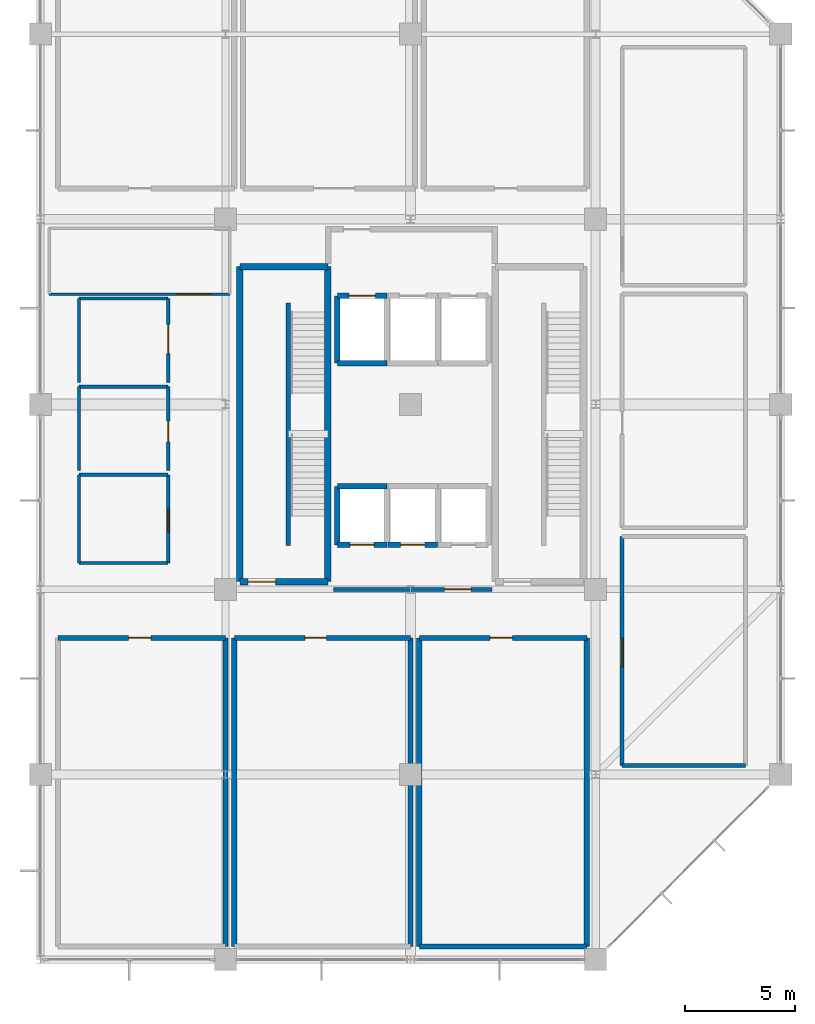
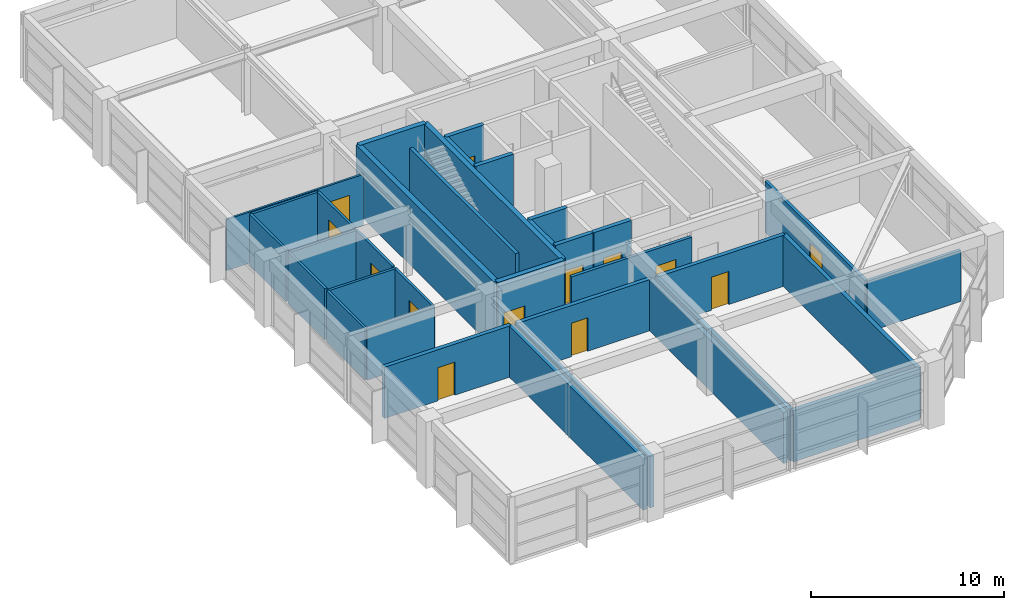
# One storey, part 12 of 15: 35 walls, 13 doors, 13 openings.
"""IFC4 building model written with IfcOpenShell, lengths in metres."""

from ifc_helpers import new_model, si_unit, direction, frame, frame_2d, origin, place, context, subcontext, project, spatial, rectangle, extrude, material, layer, layer_set, type_object, element, fill, save


model = new_model("IFC4")

# Units and contexts
model_context = context("Model", 3, precision=1e-05, world=origin(), true_north=direction((0.0, 1.0)))
body_context = subcontext(model_context, "Body", "Model", "MODEL_VIEW")
ifc_project = project(units=[si_unit("LENGTHUNIT", "METRE"), si_unit("AREAUNIT", "SQUARE_METRE"), si_unit("VOLUMEUNIT", "CUBIC_METRE"), si_unit("PLANEANGLEUNIT", "RADIAN"), si_unit("MASSUNIT", "GRAM", prefix="KILO")], contexts=[model_context])

# Site, building, storey
site_placement = place(None, origin())
site = spatial("IfcSite", under=ifc_project, at=site_placement, CompositionType="ELEMENT")
building_placement = place(site_placement, origin())
building = spatial("IfcBuilding", under=site, at=building_placement, Name="Xuanlan Plaza Opera House", CompositionType="ELEMENT")
storey_placement = place(building_placement, frame((0.0, 0.0, 53.10009765625)))
storey = spatial("IfcBuildingStorey", under=building, at=storey_placement, Name="L12", CompositionType="ELEMENT", Elevation=53.10009765625)

# Wall, opening, door
ifc_material_1 = material(Name="Gypsum Board and Galvanised Steel Studs", Category="gypsum")
ifc_layer_1 = layer(ifc_material_1, 0.239990234375)
ifc_layer_set_1 = layer_set([ifc_layer_1], Name="Gypsum Board and Galvanised Steel Studs")
wall_type_1 = type_object("IfcWallType", Name="INT-WL-PW-01", PredefinedType="PARTITIONING", material=ifc_layer_set_1)
wall_1_placement = place(storey_placement, frame((126.800048828125, 48.199951171875, 0.0), z_axis=(0.0, 0.0, 1.0), x_axis=(1.0, 0.0, 0.0)))
wall_1 = element("IfcWall", 1, at=wall_1_placement, inside=storey, type_object=wall_type_1, Name="Conservatoire Practice Studio 1 Wall North", PredefinedType="PARTITIONING", context=body_context, shape_type="SweptSolid", body=[
    extrude(rectangle(XDim=7.599853515625, YDim=0.239990234375, at=frame_2d((3.7998046875, 0.0))), origin(), (0.0, 0.0, 1.0), 3.239990234375),
])
opening_1_placement = place(wall_1_placement, frame((3.199951171875, 0.0, 0.0)))
opening_1 = element("IfcOpeningElement", 2, at=opening_1_placement, cuts=wall_1, Name="Opening D-02", PredefinedType="OPENING", context=body_context, shape_type="SweptSolid", body=[
    extrude(rectangle(XDim=1.02001953125, YDim=2.10009765625, at=frame_2d((0.510009765625, 1.050048828125))), frame((0.0, 0.1298828125, 0.0), z_axis=(0.0, -1.0, 0.0), x_axis=(1.0, 0.0, 0.0)), (0.0, 0.0, 1.0), 0.260009765625),
])
ifc_material_2 = material(Name="Oak Hardwood Timber", Category="wood")
door_type_1 = type_object("IfcDoorType", Name="INT-DR-D-02", OperationType="NOTDEFINED", PredefinedType="DOOR", material=ifc_material_2)
door_1_placement = place(opening_1_placement, origin())
door_1 = element("IfcDoor", 3, at=door_1_placement, inside=storey, type_object=door_type_1, Name="Conservatoire Practice Studio 1 Door 1", OperationType="SINGLE_SWING_RIGHT", OverallHeight=2.10009765625, OverallWidth=1.02001953125, PredefinedType="DOOR", context=body_context, shape_type="SweptSolid", body=[
    extrude(rectangle(XDim=1.02001953125, YDim=2.10009765625, at=frame_2d((0.510009765625, 1.050048828125))), frame((0.0, 0.02490234375, 0.0), z_axis=(0.0, -1.0, 0.0), x_axis=(1.0, 0.0, 0.0)), (0.0, 0.0, 1.0), 0.050048828125),
])
fill(opening_1, door_1)

# Wall
wall_2_placement = place(storey_placement, frame((134.39990234375, 34.199951171875, 0.0), z_axis=(0.0, 0.0, 1.0), x_axis=(0.0, 1.0, 0.0)))
element("IfcWall", 4, at=wall_2_placement, inside=storey, type_object=wall_type_1, Name="Conservatoire Practice Studio 1 Wall East", PredefinedType="PARTITIONING", context=body_context, shape_type="SweptSolid", body=[
    extrude(rectangle(XDim=14.0, YDim=0.239990234375, at=frame_2d((7.0, 0.0))), origin(), (0.0, 0.0, 1.0), 3.239990234375),
])

# Wall, opening, door
wall_3_placement = place(storey_placement, frame((134.800048828125, 48.199951171875, 0.0), z_axis=(0.0, 0.0, 1.0), x_axis=(1.0, 0.0, 0.0)))
wall_3 = element("IfcWall", 5, at=wall_3_placement, inside=storey, type_object=wall_type_1, Name="Conservatoire Practice Studio 2 Wall North", PredefinedType="PARTITIONING", context=body_context, shape_type="SweptSolid", body=[
    extrude(rectangle(XDim=8.0, YDim=0.239990234375, at=frame_2d((4.0, 0.0))), origin(), (0.0, 0.0, 1.0), 3.239990234375),
])
opening_2_placement = place(wall_3_placement, frame((3.199951171875, 0.0, 0.0)))
opening_2 = element("IfcOpeningElement", 6, at=opening_2_placement, cuts=wall_3, Name="Opening D-09", PredefinedType="OPENING", context=body_context, shape_type="SweptSolid", body=[
    extrude(rectangle(XDim=0.97998046875, YDim=2.1201171875, at=frame_2d((0.489990234375, 1.06005859375))), frame((0.0, 0.1298828125, 0.0), z_axis=(0.0, -1.0, 0.0), x_axis=(1.0, 0.0, 0.0)), (0.0, 0.0, 1.0), 0.260009765625),
])
ifc_material_3 = material(Name="Walnut Hardwood Timber", Category="wood")
door_type_2 = type_object("IfcDoorType", Name="INT-DR-D-09", OperationType="NOTDEFINED", PredefinedType="DOOR", material=ifc_material_3)
door_2_placement = place(opening_2_placement, origin())
door_2 = element("IfcDoor", 7, at=door_2_placement, inside=storey, type_object=door_type_2, Name="Conservatoire Practice Studio 2 Door 1", OperationType="SINGLE_SWING_LEFT", OverallHeight=2.1201171875, OverallWidth=0.97998046875, PredefinedType="DOOR", context=body_context, shape_type="SweptSolid", body=[
    extrude(rectangle(XDim=0.97998046875, YDim=2.1201171875, at=frame_2d((0.489990234375, 1.06005859375))), frame((0.0, 0.02490234375, 0.0), z_axis=(0.0, -1.0, 0.0), x_axis=(1.0, 0.0, 0.0)), (0.0, 0.0, 1.0), 0.050048828125),
])
fill(opening_2, door_2)

# Walls
for number, where, z_axis, x_axis, name in (
    (8, (134.800048828125, 34.199951171875, 0.0), (0.0, 0.0, 1.0), (0.0, 1.0, 0.0), "Conservatoire Practice Studio 2 Wall West"),
    (9, (142.800048828125, 34.199951171875, 0.0), (0.0, 0.0, 1.0), (0.0, 1.0, 0.0), "Conservatoire Practice Studio 2 Wall East"),
):
    element("IfcWall", number, at=place(storey_placement, frame(where, z_axis=z_axis, x_axis=x_axis)), inside=storey, type_object=wall_type_1, Name=name, PredefinedType="PARTITIONING", context=body_context, shape_type="SweptSolid", body=[
        extrude(rectangle(XDim=14.0, YDim=0.239990234375, at=frame_2d((7.0, 0.0))), origin(), (0.0, 0.0, 1.0), 3.239990234375),
    ])
wall_4_placement = place(storey_placement, frame((143.199951171875, 34.199951171875, 0.0), z_axis=(0.0, 0.0, 1.0), x_axis=(1.0, 0.0, 0.0)))
element("IfcWall", 10, at=wall_4_placement, inside=storey, type_object=wall_type_1, Name="Conservatoire Practice Studio 3 Wall South", PredefinedType="PARTITIONING", context=body_context, shape_type="SweptSolid", body=[
    extrude(rectangle(XDim=7.60009765625, YDim=0.239990234375, at=frame_2d((3.800048828125, 0.0))), origin(), (0.0, 0.0, 1.0), 3.239990234375),
])

# Wall, opening, door
wall_5_placement = place(storey_placement, frame((143.199951171875, 48.199951171875, 0.0), z_axis=(0.0, 0.0, 1.0), x_axis=(1.0, 0.0, 0.0)))
wall_5 = element("IfcWall", 11, at=wall_5_placement, inside=storey, type_object=wall_type_1, Name="Conservatoire Practice Studio 3 Wall North", PredefinedType="PARTITIONING", context=body_context, shape_type="SweptSolid", body=[
    extrude(rectangle(XDim=7.60009765625, YDim=0.239990234375, at=frame_2d((3.800048828125, 0.0))), origin(), (0.0, 0.0, 1.0), 3.239990234375),
])
opening_3_placement = place(wall_5_placement, frame((3.199951171875, 0.0, 0.0)))
opening_3 = element("IfcOpeningElement", 12, at=opening_3_placement, cuts=wall_5, Name="Opening D-02", PredefinedType="OPENING", context=body_context, shape_type="SweptSolid", body=[
    extrude(rectangle(XDim=1.02001953125, YDim=2.10009765625, at=frame_2d((0.510009765625, 1.050048828125))), frame((0.0, 0.1298828125, 0.0), z_axis=(0.0, -1.0, 0.0), x_axis=(1.0, 0.0, 0.0)), (0.0, 0.0, 1.0), 0.260009765625),
])
door_3_placement = place(opening_3_placement, origin())
door_3 = element("IfcDoor", 13, at=door_3_placement, inside=storey, type_object=door_type_1, Name="Conservatoire Practice Studio 3 Door 1", OperationType="SINGLE_SWING_RIGHT", OverallHeight=2.10009765625, OverallWidth=1.02001953125, PredefinedType="DOOR", context=body_context, shape_type="SweptSolid", body=[
    extrude(rectangle(XDim=1.02001953125, YDim=2.10009765625, at=frame_2d((0.510009765625, 1.050048828125))), frame((0.0, 0.02490234375, 0.0), z_axis=(0.0, -1.0, 0.0), x_axis=(1.0, 0.0, 0.0)), (0.0, 0.0, 1.0), 0.050048828125),
])
fill(opening_3, door_3)

# Walls
for number, where, z_axis, x_axis, name in (
    (14, (143.199951171875, 34.199951171875, 0.0), (0.0, 0.0, 1.0), (0.0, 1.0, 0.0), "Conservatoire Practice Studio 3 Wall West"),
    (15, (150.800048828125, 34.199951171875, 0.0), (0.0, 0.0, 1.0), (0.0, 1.0, 0.0), "Conservatoire Practice Studio 3 Wall East"),
):
    element("IfcWall", number, at=place(storey_placement, frame(where, z_axis=z_axis, x_axis=x_axis)), inside=storey, type_object=wall_type_1, Name=name, PredefinedType="PARTITIONING", context=body_context, shape_type="SweptSolid", body=[
        extrude(rectangle(XDim=14.0, YDim=0.239990234375, at=frame_2d((7.0, 0.0))), origin(), (0.0, 0.0, 1.0), 3.239990234375),
    ])

# Wall, opening, door
ifc_layer_2 = layer(ifc_material_1, 0.179931640625)
ifc_layer_set_2 = layer_set([ifc_layer_2], Name="Gypsum Board and Galvanised Steel Studs")
wall_type_2 = type_object("IfcWallType", Name="INT-WL-PW-02", PredefinedType="PARTITIONING", material=ifc_layer_set_2)
wall_6_placement = place(storey_placement, frame((139.300048828125, 50.39990234375, 0.0), z_axis=(0.0, 0.0, 1.0), x_axis=(1.0, 0.0, 0.0)))
wall_6 = element("IfcWall", 16, at=wall_6_placement, inside=storey, type_object=wall_type_2, Name="Tower Lift Lobby Wall South", PredefinedType="PARTITIONING", context=body_context, shape_type="SweptSolid", body=[
    extrude(rectangle(XDim=7.199951171875, YDim=0.179931640625, at=frame_2d((3.60009765625, 0.0))), origin(), (0.0, 0.0, 1.0), 3.239990234375),
])
opening_4_placement = place(wall_6_placement, frame((5.050048828125, 0.0, 0.0)))
opening_4 = element("IfcOpeningElement", 17, at=opening_4_placement, cuts=wall_6, Name="Opening FD-02", PredefinedType="OPENING", context=body_context, shape_type="SweptSolid", body=[
    extrude(rectangle(XDim=1.199951171875, YDim=2.14990234375, at=frame_2d((0.60009765625, 1.074951171875))), frame((0.0, 0.099853515625, 0.0), z_axis=(0.0, -1.0, 0.0), x_axis=(1.0, 0.0, 0.0)), (0.0, 0.0, 1.0), 0.199951171875),
])
ifc_material_4 = material(Name="Galvanised Steel Q235B", Category="steel")
door_type_3 = type_object("IfcDoorType", Name="INT-DR-FD-02", OperationType="NOTDEFINED", PredefinedType="DOOR", material=ifc_material_4)
door_4_placement = place(opening_4_placement, frame((1.199951171875, 0.0, 0.0), z_axis=(0.0, 0.0, 1.0), x_axis=(-1.0, 0.0, 0.0)))
door_4 = element("IfcDoor", 18, at=door_4_placement, inside=storey, type_object=door_type_3, Name="Tower Lift Lobby Door 1", OperationType="SINGLE_SWING_RIGHT", OverallHeight=2.14990234375, OverallWidth=1.199951171875, PredefinedType="DOOR", context=body_context, shape_type="SweptSolid", body=[
    extrude(rectangle(XDim=1.199951171875, YDim=2.14990234375, at=frame_2d((0.60009765625, 1.074951171875))), frame((0.0, 0.02490234375, 0.0), z_axis=(0.0, -1.0, 0.0), x_axis=(1.0, 0.0, 0.0)), (0.0, 0.0, 1.0), 0.050048828125),
])
fill(opening_4, door_4)

# Wall
wall_7_placement = place(storey_placement, frame((152.39990234375, 42.39990234375, 0.0), z_axis=(0.0, 0.0, 1.0), x_axis=(1.0, 0.0, 0.0)))
element("IfcWall", 19, at=wall_7_placement, inside=storey, type_object=wall_type_2, Name="Libretto and Media Editing Room 1 Wall South", PredefinedType="PARTITIONING", context=body_context, shape_type="SweptSolid", body=[
    extrude(rectangle(XDim=5.60009765625, YDim=0.179931640625, at=frame_2d((2.800048828125, 0.0))), origin(), (0.0, 0.0, 1.0), 3.239990234375),
])

# Wall, opening, door
wall_8_placement = place(storey_placement, frame((152.39990234375, 42.39990234375, 0.0), z_axis=(0.0, 0.0, 1.0), x_axis=(0.0, 1.0, 0.0)))
wall_8 = element("IfcWall", 20, at=wall_8_placement, inside=storey, type_object=wall_type_2, Name="Libretto and Media Editing Room 1 Wall West", PredefinedType="PARTITIONING", context=body_context, shape_type="SweptSolid", body=[
    extrude(rectangle(XDim=10.400146484375, YDim=0.179931640625, at=frame_2d((5.2001953125, 0.0))), origin(), (0.0, 0.0, 1.0), 3.239990234375),
])
opening_5_placement = place(wall_8_placement, frame((4.5, 0.0, 0.0)))
opening_5 = element("IfcOpeningElement", 21, at=opening_5_placement, cuts=wall_8, Name="Opening D-11", PredefinedType="OPENING", context=body_context, shape_type="SweptSolid", body=[
    extrude(rectangle(XDim=1.280029296875, YDim=2.159912109375, at=frame_2d((0.64013671875, 1.080078125))), frame((0.0, 0.099853515625, 0.0), z_axis=(0.0, -1.0, 0.0), x_axis=(1.0, 0.0, 0.0)), (0.0, 0.0, 1.0), 0.199951171875),
])
door_type_4 = type_object("IfcDoorType", Name="INT-DR-D-11", OperationType="NOTDEFINED", PredefinedType="DOOR", material=ifc_material_3)
door_5_placement = place(opening_5_placement, origin())
door_5 = element("IfcDoor", 22, at=door_5_placement, inside=storey, type_object=door_type_4, Name="Libretto and Media Editing Room 1 Door 1", OperationType="SINGLE_SWING_RIGHT", OverallHeight=2.159912109375, OverallWidth=1.280029296875, PredefinedType="DOOR", context=body_context, shape_type="SweptSolid", body=[
    extrude(rectangle(XDim=1.280029296875, YDim=2.159912109375, at=frame_2d((0.64013671875, 1.080078125))), frame((0.0, 0.02490234375, 0.0), z_axis=(0.0, -1.0, 0.0), x_axis=(1.0, 0.0, 0.0)), (0.0, 0.0, 1.0), 0.050048828125),
])
fill(opening_5, door_5)

# Walls
ifc_material_5 = material(Name="Autoclaved Aerated Blockwork Masonry", Category="masonry")
ifc_layer_3 = layer(ifc_material_5, 0.14990234375)
ifc_layer_set_3 = layer_set([ifc_layer_3], Name="Autoclaved Aerated Blockwork Masonry")
wall_type_3 = type_object("IfcWallType", Name="INT-WL-PW-03", PredefinedType="PARTITIONING", material=ifc_layer_set_3)
for number, where, z_axis, x_axis, name in (
    (23, (127.75, 51.60009765625, 0.0), (0.0, 0.0, 1.0), (1.0, 0.0, 0.0), "Public WC Wall South"),
    (24, (127.75, 55.60009765625, 0.0), (0.0, 0.0, 1.0), (1.0, 0.0, 0.0), "Public WC Wall North"),
):
    element("IfcWall", number, at=place(storey_placement, frame(where, z_axis=z_axis, x_axis=x_axis)), inside=storey, type_object=wall_type_3, Name=name, PredefinedType="PARTITIONING", context=body_context, shape_type="SweptSolid", body=[
        extrude(rectangle(XDim=4.050048828125, YDim=0.14990234375, at=frame_2d((2.02490234375, 0.0))), origin(), (0.0, 0.0, 1.0), 3.239990234375),
    ])
wall_9_placement = place(storey_placement, frame((127.75, 51.60009765625, 0.0), z_axis=(0.0, 0.0, 1.0), x_axis=(0.0, 1.0, 0.0)))
element("IfcWall", 25, at=wall_9_placement, inside=storey, type_object=wall_type_3, Name="Public WC Wall West", PredefinedType="PARTITIONING", context=body_context, shape_type="SweptSolid", body=[
    extrude(rectangle(XDim=4.0, YDim=0.14990234375, at=frame_2d((2.0, 0.0))), origin(), (0.0, 0.0, 1.0), 3.239990234375),
])

# Wall, opening, door
wall_10_placement = place(storey_placement, frame((131.800048828125, 51.60009765625, 0.0), z_axis=(0.0, 0.0, 1.0), x_axis=(0.0, 1.0, 0.0)))
wall_10 = element("IfcWall", 26, at=wall_10_placement, inside=storey, type_object=wall_type_3, Name="Public WC Wall East", PredefinedType="PARTITIONING", context=body_context, shape_type="SweptSolid", body=[
    extrude(rectangle(XDim=4.0, YDim=0.14990234375, at=frame_2d((2.0, 0.0))), origin(), (0.0, 0.0, 1.0), 3.239990234375),
])
opening_6_placement = place(wall_10_placement, frame((1.39990234375, 0.0, 0.0)))
opening_6 = element("IfcOpeningElement", 27, at=opening_6_placement, cuts=wall_10, Name="Opening D-16", PredefinedType="OPENING", context=body_context, shape_type="SweptSolid", body=[
    extrude(rectangle(XDim=1.050048828125, YDim=2.159912109375, at=frame_2d((0.52490234375, 1.080078125))), frame((0.0, 0.0849609375, 0.0), z_axis=(0.0, -1.0, 0.0), x_axis=(1.0, 0.0, 0.0)), (0.0, 0.0, 1.0), 0.169921875),
])
door_type_5 = type_object("IfcDoorType", Name="INT-DR-D-16", OperationType="NOTDEFINED", PredefinedType="DOOR", material=ifc_material_2)
door_6_placement = place(opening_6_placement, origin())
door_6 = element("IfcDoor", 28, at=door_6_placement, inside=storey, type_object=door_type_5, Name="Public WC Door 1", OperationType="SINGLE_SWING_LEFT", OverallHeight=2.159912109375, OverallWidth=1.050048828125, PredefinedType="DOOR", context=body_context, shape_type="SweptSolid", body=[
    extrude(rectangle(XDim=1.050048828125, YDim=2.159912109375, at=frame_2d((0.52490234375, 1.080078125))), frame((0.0, 0.02490234375, 0.0), z_axis=(0.0, -1.0, 0.0), x_axis=(1.0, 0.0, 0.0)), (0.0, 0.0, 1.0), 0.050048828125),
])
fill(opening_6, door_6)

# Walls
wall_11_placement = place(storey_placement, frame((127.75, 59.60009765625, 0.0), z_axis=(0.0, 0.0, 1.0), x_axis=(1.0, 0.0, 0.0)))
element("IfcWall", 29, at=wall_11_placement, inside=storey, type_object=wall_type_3, Name="Staff WC Wall North", PredefinedType="PARTITIONING", context=body_context, shape_type="SweptSolid", body=[
    extrude(rectangle(XDim=4.050048828125, YDim=0.14990234375, at=frame_2d((2.02490234375, 0.0))), origin(), (0.0, 0.0, 1.0), 3.239990234375),
])
wall_12_placement = place(storey_placement, frame((127.75, 55.800048828125, 0.0), z_axis=(0.0, 0.0, 1.0), x_axis=(0.0, 1.0, 0.0)))
element("IfcWall", 30, at=wall_12_placement, inside=storey, type_object=wall_type_3, Name="Staff WC Wall West", PredefinedType="PARTITIONING", context=body_context, shape_type="SweptSolid", body=[
    extrude(rectangle(XDim=3.800048828125, YDim=0.14990234375, at=frame_2d((1.89990234375, 0.0))), origin(), (0.0, 0.0, 1.0), 3.239990234375),
])

# Wall, opening, door
wall_13_placement = place(storey_placement, frame((131.800048828125, 55.800048828125, 0.0), z_axis=(0.0, 0.0, 1.0), x_axis=(0.0, 1.0, 0.0)))
wall_13 = element("IfcWall", 31, at=wall_13_placement, inside=storey, type_object=wall_type_3, Name="Staff WC Wall East", PredefinedType="PARTITIONING", context=body_context, shape_type="SweptSolid", body=[
    extrude(rectangle(XDim=3.800048828125, YDim=0.14990234375, at=frame_2d((1.89990234375, 0.0))), origin(), (0.0, 0.0, 1.0), 3.239990234375),
])
opening_7_placement = place(wall_13_placement, frame((1.300048828125, 0.0, 0.0)))
opening_7 = element("IfcOpeningElement", 32, at=opening_7_placement, cuts=wall_13, Name="Opening D-01", PredefinedType="OPENING", context=body_context, shape_type="SweptSolid", body=[
    extrude(rectangle(XDim=0.949951171875, YDim=2.10009765625, at=frame_2d((0.47509765625, 1.050048828125))), frame((0.0, 0.0849609375, 0.0), z_axis=(0.0, -1.0, 0.0), x_axis=(1.0, 0.0, 0.0)), (0.0, 0.0, 1.0), 0.169921875),
])
door_type_6 = type_object("IfcDoorType", Name="INT-DR-D-01", OperationType="NOTDEFINED", PredefinedType="DOOR", material=ifc_material_3)
door_7_placement = place(opening_7_placement, origin())
door_7 = element("IfcDoor", 33, at=door_7_placement, inside=storey, type_object=door_type_6, Name="Staff WC Door 1", OperationType="SINGLE_SWING_RIGHT", OverallHeight=2.10009765625, OverallWidth=0.949951171875, PredefinedType="DOOR", context=body_context, shape_type="SweptSolid", body=[
    extrude(rectangle(XDim=0.949951171875, YDim=2.10009765625, at=frame_2d((0.47509765625, 1.050048828125))), frame((0.0, 0.02490234375, 0.0), z_axis=(0.0, -1.0, 0.0), x_axis=(1.0, 0.0, 0.0)), (0.0, 0.0, 1.0), 0.050048828125),
])
fill(opening_7, door_7)

# Walls
wall_14_placement = place(storey_placement, frame((127.75, 63.60009765625, 0.0), z_axis=(0.0, 0.0, 1.0), x_axis=(1.0, 0.0, 0.0)))
element("IfcWall", 34, at=wall_14_placement, inside=storey, type_object=wall_type_3, Name="Accessible WC Wall North", PredefinedType="PARTITIONING", context=body_context, shape_type="SweptSolid", body=[
    extrude(rectangle(XDim=4.050048828125, YDim=0.14990234375, at=frame_2d((2.02490234375, 0.0))), origin(), (0.0, 0.0, 1.0), 3.239990234375),
])
wall_15_placement = place(storey_placement, frame((127.75, 59.800048828125, 0.0), z_axis=(0.0, 0.0, 1.0), x_axis=(0.0, 1.0, 0.0)))
element("IfcWall", 35, at=wall_15_placement, inside=storey, type_object=wall_type_3, Name="Accessible WC Wall West", PredefinedType="PARTITIONING", context=body_context, shape_type="SweptSolid", body=[
    extrude(rectangle(XDim=3.800048828125, YDim=0.14990234375, at=frame_2d((1.89990234375, 0.0))), origin(), (0.0, 0.0, 1.0), 3.239990234375),
])

# Wall, opening, door
wall_16_placement = place(storey_placement, frame((131.800048828125, 59.800048828125, 0.0), z_axis=(0.0, 0.0, 1.0), x_axis=(0.0, 1.0, 0.0)))
wall_16 = element("IfcWall", 36, at=wall_16_placement, inside=storey, type_object=wall_type_3, Name="Accessible WC Wall East", PredefinedType="PARTITIONING", context=body_context, shape_type="SweptSolid", body=[
    extrude(rectangle(XDim=3.800048828125, YDim=0.14990234375, at=frame_2d((1.89990234375, 0.0))), origin(), (0.0, 0.0, 1.0), 3.239990234375),
])
opening_8_placement = place(wall_16_placement, frame((1.300048828125, 0.0, 0.0)))
opening_8 = element("IfcOpeningElement", 37, at=opening_8_placement, cuts=wall_16, Name="Opening D-07", PredefinedType="OPENING", context=body_context, shape_type="SweptSolid", body=[
    extrude(rectangle(XDim=1.320068359375, YDim=2.179931640625, at=frame_2d((0.66015625, 1.08984375))), frame((0.0, 0.0849609375, 0.0), z_axis=(0.0, -1.0, 0.0), x_axis=(1.0, 0.0, 0.0)), (0.0, 0.0, 1.0), 0.169921875),
])
door_type_7 = type_object("IfcDoorType", Name="INT-DR-D-07", OperationType="NOTDEFINED", PredefinedType="DOOR", material=ifc_material_3)
door_8_placement = place(opening_8_placement, origin())
door_8 = element("IfcDoor", 38, at=door_8_placement, inside=storey, type_object=door_type_7, Name="Accessible WC Door 1", OperationType="SINGLE_SWING_LEFT", OverallHeight=2.179931640625, OverallWidth=1.320068359375, PredefinedType="DOOR", context=body_context, shape_type="SweptSolid", body=[
    extrude(rectangle(XDim=1.320068359375, YDim=2.179931640625, at=frame_2d((0.66015625, 1.08984375))), frame((0.0, 0.02490234375, 0.0), z_axis=(0.0, -1.0, 0.0), x_axis=(1.0, 0.0, 0.0)), (0.0, 0.0, 1.0), 0.050048828125),
])
fill(opening_8, door_8)

ifc_layer_4 = layer(ifc_material_1, 0.1201171875)
ifc_layer_set_4 = layer_set([ifc_layer_4], Name="Gypsum Board and Galvanised Steel Studs")
wall_type_4 = type_object("IfcWallType", Name="INT-WL-PW-04", PredefinedType="PARTITIONING", material=ifc_layer_set_4)
wall_17_placement = place(storey_placement, frame((126.39990234375, 63.800048828125, 0.0), z_axis=(0.0, 0.0, 1.0), x_axis=(1.0, 0.0, 0.0)))
wall_17 = element("IfcWall", 39, at=wall_17_placement, inside=storey, type_object=wall_type_4, Name="Acoustics Research Studio Wall South", PredefinedType="PARTITIONING", context=body_context, shape_type="SweptSolid", body=[
    extrude(rectangle(XDim=8.2001953125, YDim=0.1201171875, at=frame_2d((4.10009765625, 0.0))), origin(), (0.0, 0.0, 1.0), 3.239990234375),
])
opening_9_placement = place(wall_17_placement, frame((5.800048828125, 0.0, 0.0)))
opening_9 = element("IfcOpeningElement", 40, at=opening_9_placement, cuts=wall_17, Name="Opening D-13", PredefinedType="OPENING", context=body_context, shape_type="SweptSolid", body=[
    extrude(rectangle(XDim=1.56005859375, YDim=2.199951171875, at=frame_2d((0.780029296875, 1.10009765625))), frame((0.0, 0.070068359375, 0.0), z_axis=(0.0, -1.0, 0.0), x_axis=(1.0, 0.0, 0.0)), (0.0, 0.0, 1.0), 0.14013671875),
])
door_type_8 = type_object("IfcDoorType", Name="INT-DR-D-13", OperationType="DOUBLE_DOOR_SINGLE_SWING", PredefinedType="DOOR", material=ifc_material_3)
door_9_placement = place(opening_9_placement, origin())
door_9 = element("IfcDoor", 41, at=door_9_placement, inside=storey, type_object=door_type_8, Name="Acoustics Research Studio Door 1", OperationType="DOUBLE_DOOR_SINGLE_SWING", OverallHeight=2.199951171875, OverallWidth=1.56005859375, PredefinedType="DOOR", context=body_context, shape_type="SweptSolid", body=[
    extrude(rectangle(XDim=1.56005859375, YDim=2.199951171875, at=frame_2d((0.780029296875, 1.10009765625))), frame((0.0, 0.02490234375, 0.0), z_axis=(0.0, -1.0, 0.0), x_axis=(1.0, 0.0, 0.0)), (0.0, 0.0, 1.0), 0.050048828125),
])
fill(opening_9, door_9)

# Wall
ifc_material_6 = material(Name="Concrete C40", Category="concrete")
ifc_layer_5 = layer(ifc_material_6, 0.25)
ifc_layer_set_5 = layer_set([ifc_layer_5], Name="Concrete C40")
wall_type_5 = type_object("IfcWallType", Name="INT-WL-SW-LF1", PredefinedType="SHEAR", material=ifc_layer_set_5)
wall_18_placement = place(storey_placement, frame((139.47509765625, 60.675048828125, 0.0), z_axis=(0.0, 0.0, 1.0), x_axis=(1.0, 0.0, 0.0)))
element("IfcWall", 42, at=wall_18_placement, inside=storey, type_object=wall_type_5, Name="Lift Shaft Wall LF-FF1 L12 South", PredefinedType="SHEAR", context=body_context, shape_type="SweptSolid", body=[
    extrude(rectangle(XDim=2.25, YDim=0.25, at=frame_2d((1.125, 0.0))), origin(), (0.0, 0.0, 1.0), 3.9599609375),
])

# Wall, opening, door
wall_19_placement = place(storey_placement, frame((139.47509765625, 63.72509765625, 0.0), z_axis=(0.0, 0.0, 1.0), x_axis=(1.0, 0.0, 0.0)))
wall_19 = element("IfcWall", 43, at=wall_19_placement, inside=storey, type_object=wall_type_5, Name="Lift Shaft Wall LF-FF1 L12 North", PredefinedType="SHEAR", context=body_context, shape_type="SweptSolid", body=[
    extrude(rectangle(XDim=2.25, YDim=0.25, at=frame_2d((1.125, 0.0))), origin(), (0.0, 0.0, 1.0), 3.9599609375),
])
opening_10_placement = place(wall_19_placement, frame((0.52490234375, 0.0, 0.0)))
opening_10 = element("IfcOpeningElement", 44, at=opening_10_placement, cuts=wall_19, Name="Opening LD-FF1-L12", PredefinedType="OPENING", context=body_context, shape_type="SweptSolid", body=[
    extrude(rectangle(XDim=1.199951171875, YDim=2.179931640625, at=frame_2d((0.60009765625, 1.08984375))), frame((0.0, 0.135009765625, 0.0), z_axis=(0.0, -1.0, 0.0), x_axis=(1.0, 0.0, 0.0)), (0.0, 0.0, 1.0), 0.27001953125),
])
ifc_material_7 = material(Name="Stainless Steel S30408", Category="steel")
door_type_9 = type_object("IfcDoorType", Name="INT-DR-LD-02", OperationType="DOUBLE_DOOR_SLIDING", PredefinedType="DOOR", material=ifc_material_7)
door_10_placement = place(opening_10_placement, origin())
door_10 = element("IfcDoor", 45, at=door_10_placement, inside=storey, type_object=door_type_9, Name="Lift Sliding Landing Door LF-FF1 L12", OperationType="DOUBLE_DOOR_SLIDING", OverallHeight=2.179931640625, OverallWidth=1.199951171875, PredefinedType="DOOR", context=body_context, shape_type="SweptSolid", body=[
    extrude(rectangle(XDim=1.199951171875, YDim=2.179931640625, at=frame_2d((0.60009765625, 1.08984375))), frame((0.0, 0.02490234375, 0.0), z_axis=(0.0, -1.0, 0.0), x_axis=(1.0, 0.0, 0.0)), (0.0, 0.0, 1.0), 0.050048828125),
])
fill(opening_10, door_10)

# Wall
wall_20_placement = place(storey_placement, frame((139.47509765625, 60.675048828125, 0.0), z_axis=(0.0, 0.0, 1.0), x_axis=(0.0, 1.0, 0.0)))
element("IfcWall", 46, at=wall_20_placement, inside=storey, type_object=wall_type_5, Name="Lift Shaft Wall LF-FF1 L12 West", PredefinedType="SHEAR", context=body_context, shape_type="SweptSolid", body=[
    extrude(rectangle(XDim=3.050048828125, YDim=0.25, at=frame_2d((1.52490234375, 0.0))), origin(), (0.0, 0.0, 1.0), 3.9599609375),
])

# Wall, opening, door
wall_21_placement = place(storey_placement, frame((139.47509765625, 52.425048828125, 0.0), z_axis=(0.0, 0.0, 1.0), x_axis=(1.0, 0.0, 0.0)))
wall_21 = element("IfcWall", 47, at=wall_21_placement, inside=storey, type_object=wall_type_5, Name="Lift Shaft Wall LF-P1 L12 South", PredefinedType="SHEAR", context=body_context, shape_type="SweptSolid", body=[
    extrude(rectangle(XDim=2.25, YDim=0.25, at=frame_2d((1.125, 0.0))), origin(), (0.0, 0.0, 1.0), 3.9599609375),
])
opening_11_placement = place(wall_21_placement, frame((0.574951171875, 0.0, 0.0)))
opening_11 = element("IfcOpeningElement", 48, at=opening_11_placement, cuts=wall_21, Name="Opening LD-P1-L12", PredefinedType="OPENING", context=body_context, shape_type="SweptSolid", body=[
    extrude(rectangle(XDim=1.10009765625, YDim=2.14990234375, at=frame_2d((0.550048828125, 1.074951171875))), frame((0.0, 0.135009765625, 0.0), z_axis=(0.0, -1.0, 0.0), x_axis=(1.0, 0.0, 0.0)), (0.0, 0.0, 1.0), 0.27001953125),
])
door_type_10 = type_object("IfcDoorType", Name="INT-DR-LD-01", OperationType="DOUBLE_DOOR_SLIDING", PredefinedType="DOOR", material=ifc_material_7)
door_11_placement = place(opening_11_placement, origin())
door_11 = element("IfcDoor", 49, at=door_11_placement, inside=storey, type_object=door_type_10, Name="Lift Sliding Landing Door LF-P1 L12", OperationType="DOUBLE_DOOR_SLIDING", OverallHeight=2.14990234375, OverallWidth=1.10009765625, PredefinedType="DOOR", context=body_context, shape_type="SweptSolid", body=[
    extrude(rectangle(XDim=1.10009765625, YDim=2.14990234375, at=frame_2d((0.550048828125, 1.074951171875))), frame((0.0, 0.02490234375, 0.0), z_axis=(0.0, -1.0, 0.0), x_axis=(1.0, 0.0, 0.0)), (0.0, 0.0, 1.0), 0.050048828125),
])
fill(opening_11, door_11)

# Walls
wall_22_placement = place(storey_placement, frame((139.47509765625, 55.074951171875, 0.0), z_axis=(0.0, 0.0, 1.0), x_axis=(1.0, 0.0, 0.0)))
element("IfcWall", 50, at=wall_22_placement, inside=storey, type_object=wall_type_5, Name="Lift Shaft Wall LF-P1 L12 North", PredefinedType="SHEAR", context=body_context, shape_type="SweptSolid", body=[
    extrude(rectangle(XDim=2.25, YDim=0.25, at=frame_2d((1.125, 0.0))), origin(), (0.0, 0.0, 1.0), 3.9599609375),
])
wall_23_placement = place(storey_placement, frame((139.47509765625, 52.425048828125, 0.0), z_axis=(0.0, 0.0, 1.0), x_axis=(0.0, 1.0, 0.0)))
element("IfcWall", 51, at=wall_23_placement, inside=storey, type_object=wall_type_5, Name="Lift Shaft Wall LF-P1 L12 West", PredefinedType="SHEAR", context=body_context, shape_type="SweptSolid", body=[
    extrude(rectangle(XDim=2.64990234375, YDim=0.25, at=frame_2d((1.324951171875, 0.0))), origin(), (0.0, 0.0, 1.0), 3.9599609375),
])

# Wall, opening, door
wall_24_placement = place(storey_placement, frame((141.77490234375, 52.425048828125, 0.0), z_axis=(0.0, 0.0, 1.0), x_axis=(1.0, 0.0, 0.0)))
wall_24 = element("IfcWall", 52, at=wall_24_placement, inside=storey, type_object=wall_type_5, Name="Lift Shaft Wall LF-P2 L12 South", PredefinedType="SHEAR", context=body_context, shape_type="SweptSolid", body=[
    extrude(rectangle(XDim=2.25, YDim=0.25, at=frame_2d((1.125, 0.0))), origin(), (0.0, 0.0, 1.0), 3.9599609375),
])
opening_12_placement = place(wall_24_placement, frame((0.574951171875, 0.0, 0.0)))
opening_12 = element("IfcOpeningElement", 53, at=opening_12_placement, cuts=wall_24, Name="Opening LD-P2-L12", PredefinedType="OPENING", context=body_context, shape_type="SweptSolid", body=[
    extrude(rectangle(XDim=1.10009765625, YDim=2.14990234375, at=frame_2d((0.550048828125, 1.074951171875))), frame((0.0, 0.135009765625, 0.0), z_axis=(0.0, -1.0, 0.0), x_axis=(1.0, 0.0, 0.0)), (0.0, 0.0, 1.0), 0.27001953125),
])
door_12_placement = place(opening_12_placement, origin())
door_12 = element("IfcDoor", 54, at=door_12_placement, inside=storey, type_object=door_type_10, Name="Lift Sliding Landing Door LF-P2 L12", OperationType="DOUBLE_DOOR_SLIDING", OverallHeight=2.14990234375, OverallWidth=1.10009765625, PredefinedType="DOOR", context=body_context, shape_type="SweptSolid", body=[
    extrude(rectangle(XDim=1.10009765625, YDim=2.14990234375, at=frame_2d((0.550048828125, 1.074951171875))), frame((0.0, 0.02490234375, 0.0), z_axis=(0.0, -1.0, 0.0), x_axis=(1.0, 0.0, 0.0)), (0.0, 0.0, 1.0), 0.050048828125),
])
fill(opening_12, door_12)

# Wall
ifc_layer_6 = layer(ifc_material_6, 0.199951171875)
ifc_layer_set_6 = layer_set([ifc_layer_6], Name="Concrete C40")
wall_type_6 = type_object("IfcWallType", Name="INT-WL-SW-SPN", PredefinedType="SHEAR", material=ifc_layer_set_6)
wall_25_placement = place(storey_placement, frame((137.25, 52.39990234375, 0.0), z_axis=(0.0, 0.0, 1.0), x_axis=(0.0, 1.0, 0.0)))
element("IfcWall", 55, at=wall_25_placement, inside=storey, type_object=wall_type_6, Name="Stair Structural Spine Wall ST-T1 L12", PredefinedType="SHEAR", context=body_context, shape_type="SweptSolid", body=[
    extrude(rectangle(XDim=11.0, YDim=0.199951171875, at=frame_2d((5.5, 0.0))), origin(), (0.0, 0.0, 1.0), 4.199951171875),
])

# Wall, opening, door
ifc_layer_7 = layer(ifc_material_6, 0.300048828125)
ifc_layer_set_7 = layer_set([ifc_layer_7], Name="Concrete C40")
wall_type_7 = type_object("IfcWallType", Name="INT-WL-SW-ST1", PredefinedType="SHEAR", material=ifc_layer_set_7)
wall_26_placement = place(storey_placement, frame((135.050048828125, 50.75, 0.0), z_axis=(0.0, 0.0, 1.0), x_axis=(1.0, 0.0, 0.0)))
wall_26 = element("IfcWall", 56, at=wall_26_placement, inside=storey, type_object=wall_type_7, Name="Stair Core Wall ST-T1 L12 South", PredefinedType="SHEAR", context=body_context, shape_type="SweptSolid", body=[
    extrude(rectangle(XDim=4.0, YDim=0.300048828125, at=frame_2d((2.0, 0.0))), origin(), (0.0, 0.0, 1.0), 4.199951171875),
])
opening_13_placement = place(wall_26_placement, frame((0.375, 0.0, 0.0)))
opening_13 = element("IfcOpeningElement", 57, at=opening_13_placement, cuts=wall_26, Name="Opening FD-ST1", PredefinedType="OPENING", context=body_context, shape_type="SweptSolid", body=[
    extrude(rectangle(XDim=1.25, YDim=2.14990234375, at=frame_2d((0.625, 1.074951171875))), frame((0.0, 0.159912109375, 0.0), z_axis=(0.0, -1.0, 0.0), x_axis=(1.0, 0.0, 0.0)), (0.0, 0.0, 1.0), 0.320068359375),
])
door_type_11 = type_object("IfcDoorType", Name="INT-DR-FD-ST1", OperationType="NOTDEFINED", PredefinedType="DOOR", material=ifc_material_4)
door_13_placement = place(opening_13_placement, origin())
door_13 = element("IfcDoor", 58, at=door_13_placement, inside=storey, type_object=door_type_11, Name="Stair Enclosure Fire Door ST-T1 L12", OperationType="SINGLE_SWING_LEFT", OverallHeight=2.14990234375, OverallWidth=1.25, PredefinedType="DOOR", context=body_context, shape_type="SweptSolid", body=[
    extrude(rectangle(XDim=1.25, YDim=2.14990234375, at=frame_2d((0.625, 1.074951171875))), frame((0.0, 0.02490234375, 0.0), z_axis=(0.0, -1.0, 0.0), x_axis=(1.0, 0.0, 0.0)), (0.0, 0.0, 1.0), 0.050048828125),
])
fill(opening_13, door_13)

# Walls
wall_27_placement = place(storey_placement, frame((135.050048828125, 65.050048828125, 0.0), z_axis=(0.0, 0.0, 1.0), x_axis=(1.0, 0.0, 0.0)))
element("IfcWall", 59, at=wall_27_placement, inside=storey, type_object=wall_type_7, Name="Stair Core Wall ST-T1 L12 North", PredefinedType="SHEAR", context=body_context, shape_type="SweptSolid", body=[
    extrude(rectangle(XDim=4.0, YDim=0.300048828125, at=frame_2d((2.0, 0.0))), origin(), (0.0, 0.0, 1.0), 4.199951171875),
])
for number, where, z_axis, x_axis, name in (
    (60, (135.050048828125, 50.75, 0.0), (0.0, 0.0, 1.0), (0.0, 1.0, 0.0), "Stair Core Wall ST-T1 L12 West"),
    (61, (139.050048828125, 50.75, 0.0), (0.0, 0.0, 1.0), (0.0, 1.0, 0.0), "Stair Core Wall ST-T1 L12 East"),
):
    element("IfcWall", number, at=place(storey_placement, frame(where, z_axis=z_axis, x_axis=x_axis)), inside=storey, type_object=wall_type_7, Name=name, PredefinedType="SHEAR", context=body_context, shape_type="SweptSolid", body=[
        extrude(rectangle(XDim=14.300048828125, YDim=0.300048828125, at=frame_2d((7.14990234375, 0.0))), origin(), (0.0, 0.0, 1.0), 4.199951171875),
    ])

save(model, "model.ifc")
